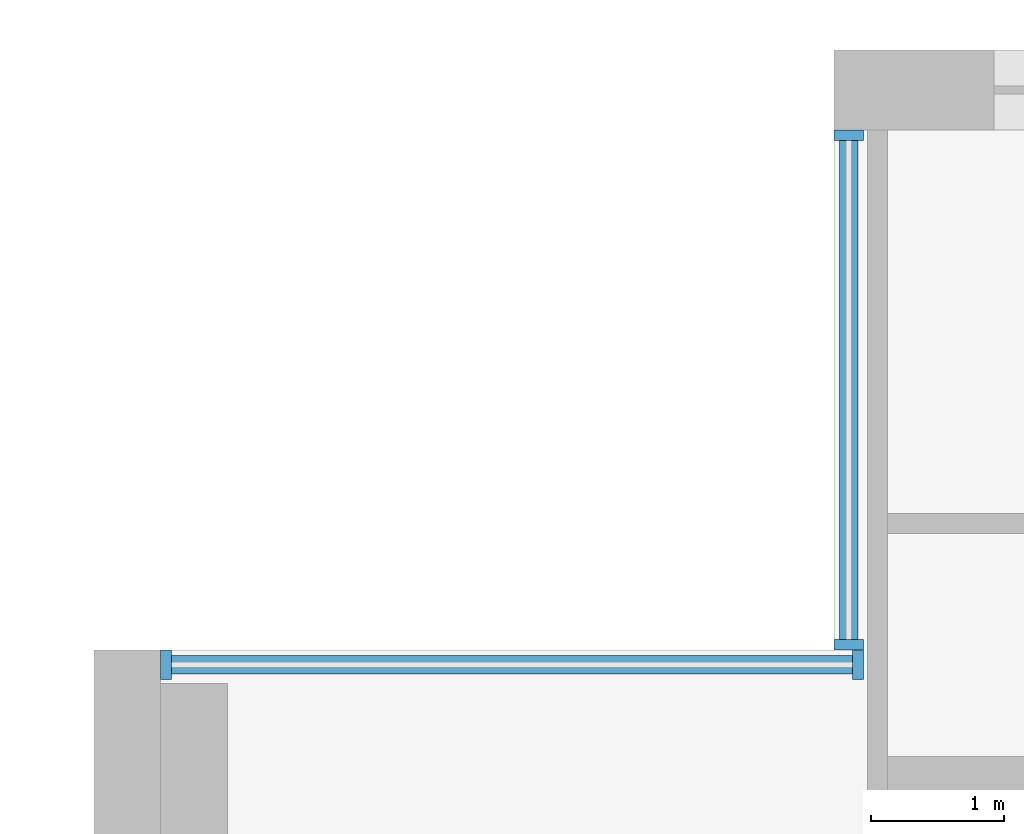
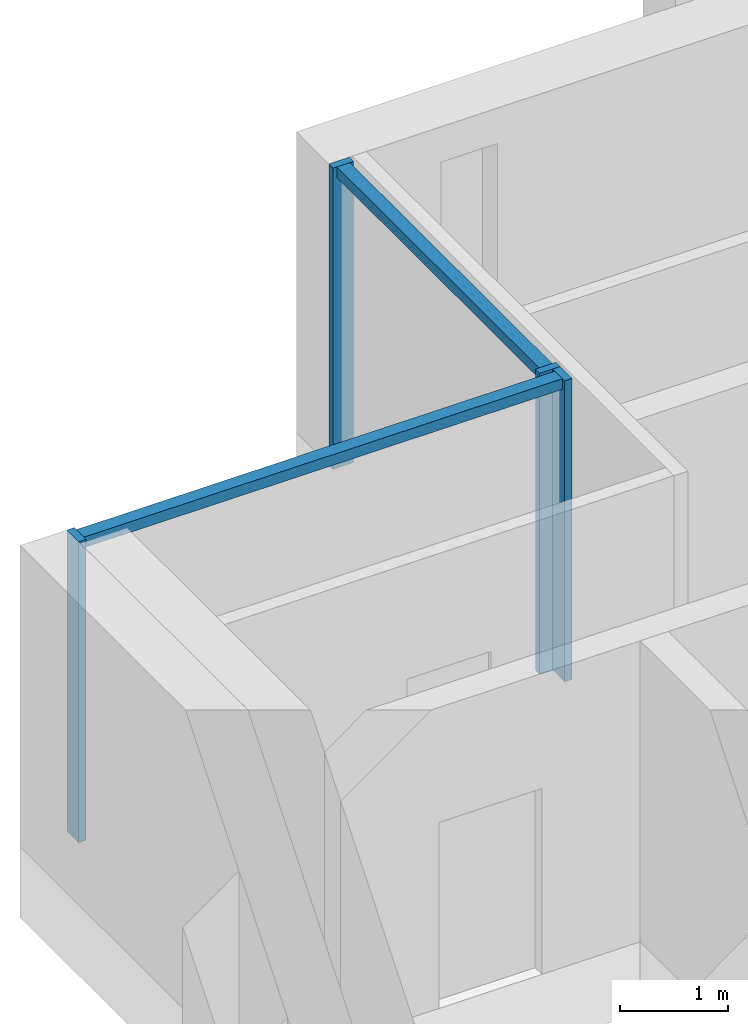
# One storey, part 4 of 16: 6 members, 2 elements without a shape of their own.
"""IFC4 building model written with IfcOpenShell, lengths in metres."""

from ifc_helpers import new_model, si_unit, direction, frame, origin, origin_2d, place, context, subcontext, project, spatial, rectangle, extrude, material, material_profile, profile_set, type_object, element, aggregate, save


model = new_model("IFC4")

# Units and contexts
model_context = context("Model", 3, precision=1e-05, world=origin(), true_north=direction((0.0, 1.0)))
body_context = subcontext(model_context, "Body", "Model", "MODEL_VIEW")
ifc_project = project(units=[si_unit("LENGTHUNIT", "METRE"), si_unit("AREAUNIT", "SQUARE_METRE"), si_unit("VOLUMEUNIT", "CUBIC_METRE"), si_unit("PLANEANGLEUNIT", "RADIAN"), si_unit("MASSUNIT", "GRAM", prefix="KILO")], contexts=[model_context])

# Site, building, storey
site_placement = place(None, origin())
site = spatial("IfcSite", under=ifc_project, at=site_placement, CompositionType="ELEMENT")
building_placement = place(site_placement, origin())
building = spatial("IfcBuilding", under=site, at=building_placement, Name="Calvaro Tower", CompositionType="ELEMENT")
storey_placement = place(building_placement, frame((0.0, 0.0, 231.75)))
storey = spatial("IfcBuildingStorey", under=building, at=storey_placement, Name="L58", CompositionType="ELEMENT", Elevation=231.75)

# Curtain wall, members
ifc_material_1 = material(Name="Anodised aluminium", Category="aluminium")
curtain_wall_type = type_object("IfcCurtainWallType", Name="Executive curtain wall", PredefinedType="NOTDEFINED", material=ifc_material_1)
curtain_wall_1_placement = place(storey_placement, origin())
curtain_wall_1 = element("IfcCurtainWall", 1, at=curtain_wall_1_placement, inside=storey, type_object=curtain_wall_type, Name="CW4 corner curtain wall", PredefinedType="NOTDEFINED")
ifc_material_2 = material(Name="Anodised aluminium", Category="aluminium")
ifc_material_profile_1 = material_profile(ifc_material_2, rectangle(XDim=0.219970703125, YDim=0.080078125, at=origin_2d()), Name="Mullion S4 80 x 220")
ifc_profile_set_1 = profile_set([ifc_material_profile_1], Name="Anodised aluminium")
member_type_1 = type_object("IfcMemberType", Name="Mullion S4 80 x 220", PredefinedType="MULLION", material=ifc_profile_set_1)
member_1_placement = place(storey_placement, frame((11.659912109375, 41.5400390625, 0.0), z_axis=(0.0, 0.0, 1.0), x_axis=(-1.0, 0.0, 0.0)))
member_1 = element("IfcMember", 2, at=member_1_placement, type_object=member_type_1, Name="CW4 mullion 1", PredefinedType="MULLION", context=body_context, shape_type="SweptSolid", body=[
    extrude(rectangle(XDim=0.219970703125, YDim=0.080078125, at=origin_2d()), origin(), (0.0, 0.0, 1.0), 3.39990234375),
])
member_2_placement = place(storey_placement, frame((11.659912109375, 45.360107421875, 0.0), z_axis=(0.0, 0.0, 1.0), x_axis=(-1.0, 0.0, 0.0)))
member_2 = element("IfcMember", 3, at=member_2_placement, type_object=member_type_1, Name="CW4 mullion 2", PredefinedType="MULLION", context=body_context, shape_type="SweptSolid", body=[
    extrude(rectangle(XDim=0.219970703125, YDim=0.080078125, at=origin_2d()), origin(), (0.0, 0.0, 1.0), 3.39990234375),
])

curtain_wall_2_placement = place(storey_placement, origin())
curtain_wall_2 = element("IfcCurtainWall", 4, at=curtain_wall_2_placement, inside=storey, type_object=curtain_wall_type, Name="CW4 corner curtain wall", PredefinedType="NOTDEFINED")
member_3_placement = place(storey_placement, frame((6.5400390625, 41.389892578125, 0.0), z_axis=(0.0, 0.0, 1.0), x_axis=(0.0, 1.0, 0.0)))
member_3 = element("IfcMember", 5, at=member_3_placement, type_object=member_type_1, Name="CW4 mullion 1", PredefinedType="MULLION", context=body_context, shape_type="SweptSolid", body=[
    extrude(rectangle(XDim=0.219970703125, YDim=0.080078125, at=origin_2d()), origin(), (0.0, 0.0, 1.0), 3.39990234375),
])
member_4_placement = place(storey_placement, frame((11.72998046875, 41.389892578125, 0.0), z_axis=(0.0, 0.0, 1.0), x_axis=(0.0, 1.0, 0.0)))
member_4 = element("IfcMember", 6, at=member_4_placement, type_object=member_type_1, Name="CW4 mullion 2", PredefinedType="MULLION", context=body_context, shape_type="SweptSolid", body=[
    extrude(rectangle(XDim=0.219970703125, YDim=0.080078125, at=origin_2d()), origin(), (0.0, 0.0, 1.0), 3.39990234375),
])

# Member
ifc_material_3 = material(Name="Anodised aluminium", Category="aluminium")
ifc_material_profile_2 = material_profile(ifc_material_3, rectangle(XDim=0.139892578125, YDim=0.1201171875, at=origin_2d()), Name="Transom S4 120 x 140")
ifc_profile_set_2 = profile_set([ifc_material_profile_2], Name="Anodised aluminium")
member_type_2 = type_object("IfcMemberType", Name="Transom S4 120 x 140", PredefinedType="USERDEFINED", material=ifc_profile_set_2)
member_5_placement = place(storey_placement, frame((11.659912109375, 41.580078125, 3.340087890625), z_axis=(0.0, 1.0, 0.0), x_axis=(-1.0, 0.0, 0.0)))
member_5 = element("IfcMember", 7, at=member_5_placement, type_object=member_type_2, Name="CW4 transom 1.1", ObjectType="TRANSOM", PredefinedType="USERDEFINED", context=body_context, shape_type="SweptSolid", body=[
    extrude(rectangle(XDim=0.139892578125, YDim=0.1201171875, at=origin_2d()), origin(), (0.0, 0.0, 1.0), 3.739990234375),
])

aggregate(curtain_wall_1, [member_1, member_2, member_5])

member_6_placement = place(storey_placement, frame((6.580078125, 41.389892578125, 3.340087890625), z_axis=(1.0, 0.0, 0.0), x_axis=(0.0, 1.0, 0.0)))
member_6 = element("IfcMember", 8, at=member_6_placement, type_object=member_type_2, Name="CW4 transom 1.1", ObjectType="TRANSOM", PredefinedType="USERDEFINED", context=body_context, shape_type="SweptSolid", body=[
    extrude(rectangle(XDim=0.139892578125, YDim=0.1201171875, at=origin_2d()), origin(), (0.0, 0.0, 1.0), 5.10986328125),
])

aggregate(curtain_wall_2, [member_3, member_4, member_6])

save(model, "model.ifc")
